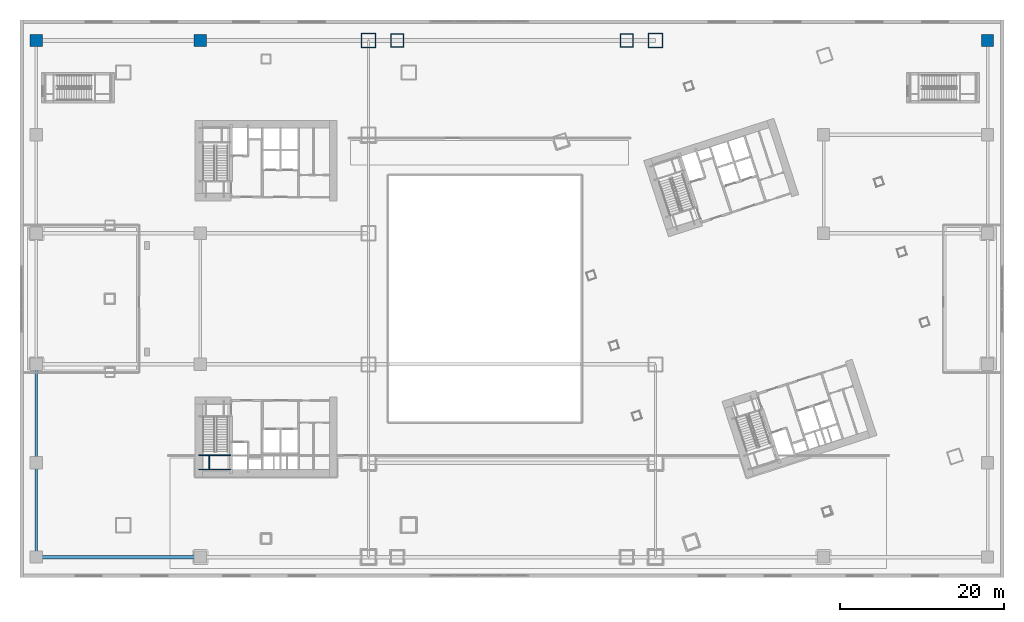
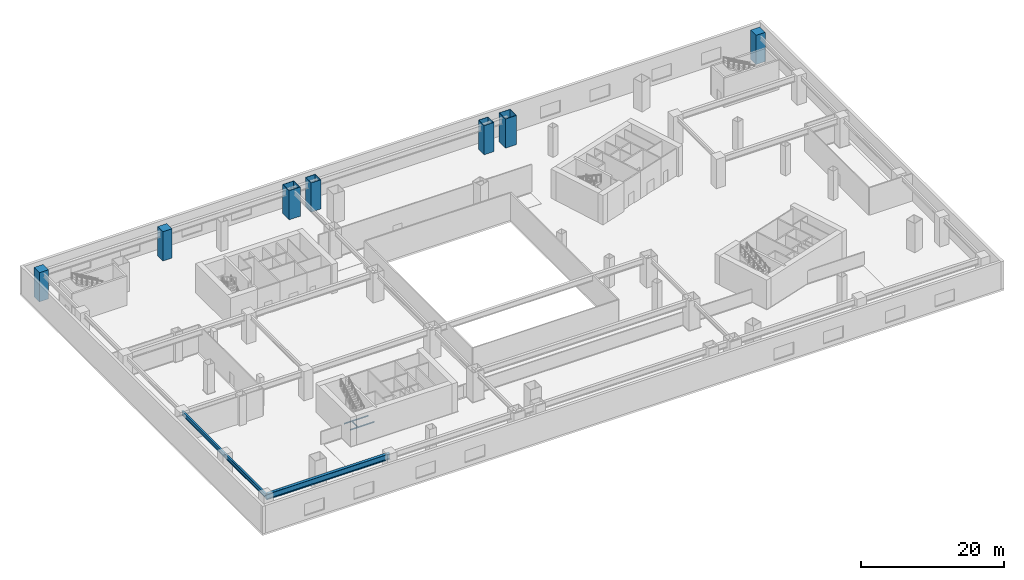
# One storey, part 3 of 35: 7 columns, 6 beams.
"""IFC4 building model written with IfcOpenShell, lengths in metres."""

from ifc_helpers import new_model, si_unit, direction, frame, origin, origin_2d, place, context, subcontext, project, spatial, rectangle, hollow_rectangle, i_section, extrude, material, material_profile, profile_set, type_object, element, save


model = new_model("IFC4")

# Units and contexts
model_context = context("Model", 3, precision=1e-05, world=origin(), true_north=direction((0.0, 1.0)))
body_context = subcontext(model_context, "Body", "Model", "MODEL_VIEW")
ifc_project = project(units=[si_unit("LENGTHUNIT", "METRE"), si_unit("AREAUNIT", "SQUARE_METRE"), si_unit("VOLUMEUNIT", "CUBIC_METRE"), si_unit("PLANEANGLEUNIT", "RADIAN"), si_unit("MASSUNIT", "GRAM", prefix="KILO")], contexts=[model_context])

# Site, building, storey
site_placement = place(None, origin())
site = spatial("IfcSite", under=ifc_project, at=site_placement, CompositionType="ELEMENT")
building_placement = place(site_placement, origin())
building = spatial("IfcBuilding", under=site, at=building_placement, Name="Qiaolan Cultural Towers", CompositionType="ELEMENT")
storey_placement = place(building_placement, frame((0.0, 0.0, 11.5)))
storey = spatial("IfcBuildingStorey", under=building, at=storey_placement, Name="L02", CompositionType="ELEMENT", Elevation=11.5)

# Columns
ifc_material_1 = material(Name="Steel Q420GJB", Category="steel")
ifc_material_profile_1 = material_profile(ifc_material_1, hollow_rectangle(XDim=1.60009765625, YDim=1.60009765625, WallThickness=0.054931640625, at=origin_2d()), Name="BOX1600x1600x55")
ifc_profile_set_1 = profile_set([ifc_material_profile_1], Name="Steel Q420GJB")
column_type_1 = type_object("IfcColumnType", Name="COL-BOX1600x1600x55", PredefinedType="COLUMN", material=ifc_profile_set_1)
for number, where, z_axis, x_axis, name in (
    (1, (46.0, 65.5, 0.0), (0.0, 0.0, 1.0), (1.0, 0.0, 0.0), "L02 Podium Column PC-MID-46-65"),
    (2, (74.0, 65.5, 0.0), (0.0, 0.0, 1.0), (1.0, 0.0, 0.0), "L02 Podium Column PC-MID-74-65"),
):
    element("IfcColumn", number, at=place(storey_placement, frame(where, z_axis=z_axis, x_axis=x_axis)), inside=storey, type_object=column_type_1, Name=name, PredefinedType="COLUMN", context=body_context, shape_type="SweptSolid", body=[
        extrude(hollow_rectangle(XDim=1.60009765625, YDim=1.60009765625, WallThickness=0.054931640625, at=origin_2d()), origin(), (0.0, 0.0, 1.0), 5.0009765625),
    ])
ifc_material_2 = material(Name="Steel Q420GJB", Category="steel")
ifc_material_profile_2 = material_profile(ifc_material_2, hollow_rectangle(XDim=1.800048828125, YDim=1.800048828125, WallThickness=0.06005859375, at=origin_2d()), Name="BOX1800x1800x60")
ifc_profile_set_2 = profile_set([ifc_material_profile_2], Name="Steel Q420GJB")
column_type_2 = type_object("IfcColumnType", Name="COL-BOX1800x1800x60", PredefinedType="COLUMN", material=ifc_profile_set_2)
for number, where, z_axis, x_axis, name in (
    (3, (42.5, 65.5, 0.0), (0.0, 0.0, 1.0), (1.0, 0.0, 0.0), "L02 Podium Column PC-42-65"),
    (4, (77.5, 65.5, 0.0), (0.0, 0.0, 1.0), (1.0, 0.0, 0.0), "L02 Podium Column PC-77-65"),
):
    element("IfcColumn", number, at=place(storey_placement, frame(where, z_axis=z_axis, x_axis=x_axis)), inside=storey, type_object=column_type_2, Name=name, PredefinedType="COLUMN", context=body_context, shape_type="SweptSolid", body=[
        extrude(hollow_rectangle(XDim=1.800048828125, YDim=1.800048828125, WallThickness=0.06005859375, at=origin_2d()), origin(), (0.0, 0.0, 1.0), 5.0009765625),
    ])
ifc_material_3 = material(Name="Concrete C60", Category="concrete")
ifc_material_profile_3 = material_profile(ifc_material_3, rectangle(XDim=1.5, YDim=1.5, at=origin_2d()), Name="RC1500x1500")
ifc_profile_set_3 = profile_set([ifc_material_profile_3], Name="Concrete C60")
column_type_3 = type_object("IfcColumnType", Name="COL-RC1500x1500", PredefinedType="COLUMN", material=ifc_profile_set_3)
for number, where, z_axis, x_axis, name in (
    (5, (2.0, 65.5, 0.0), (0.0, 0.0, 1.0), (1.0, 0.0, 0.0), "L02 Podium Column PC-2-65"),
    (6, (22.0, 65.5, 0.0), (0.0, 0.0, 1.0), (1.0, 0.0, 0.0), "L02 Podium Column PC-22-65"),
    (7, (118.0, 65.5, 0.0), (0.0, 0.0, 1.0), (1.0, 0.0, 0.0), "L02 Podium Column PC-118-65"),
):
    element("IfcColumn", number, at=place(storey_placement, frame(where, z_axis=z_axis, x_axis=x_axis)), inside=storey, type_object=column_type_3, Name=name, PredefinedType="COLUMN", context=body_context, shape_type="SweptSolid", body=[
        extrude(rectangle(XDim=1.5, YDim=1.5, at=origin_2d()), origin(), (0.0, 0.0, 1.0), 5.0009765625),
    ])

# Beams
ifc_material_4 = material(Name="Steel Q390GJB", Category="steel")
ifc_material_profile_4 = material_profile(ifc_material_4, i_section(OverallWidth=0.449951171875, OverallDepth=1.0, WebThickness=0.02392578125, FlangeThickness=0.0400390625, at=origin_2d()), Name="BH1000x450x24x40")
ifc_profile_set_4 = profile_set([ifc_material_profile_4], Name="Steel Q390GJB")
beam_type_1 = type_object("IfcBeamType", Name="BM-BH1000x450x24x40", PredefinedType="BEAM", material=ifc_profile_set_4)
beam_1_placement = place(storey_placement, frame((2.0, 2.5, 4.199951171875), z_axis=(1.0, 0.0, 0.0), x_axis=(0.0, 1.0, 0.0)))
element("IfcBeam", 8, at=beam_1_placement, inside=storey, type_object=beam_type_1, Name="L02 Podium Primary Girder Y=2.5", PredefinedType="BEAM", context=body_context, shape_type="SweptSolid", body=[
    extrude(i_section(OverallWidth=0.449951171875, OverallDepth=1.0, WebThickness=0.02392578125, FlangeThickness=0.0400390625, at=origin_2d()), origin(), (0.0, 0.0, 1.0), 20.0),
])
ifc_material_5 = material(Name="Steel Q355B", Category="steel")
ifc_material_profile_5 = material_profile(ifc_material_5, i_section(OverallWidth=0.300048828125, OverallDepth=0.699951171875, WebThickness=0.012939453125, FlangeThickness=0.02392578125, at=origin_2d()), Name="HN700x300x13x24")
ifc_profile_set_5 = profile_set([ifc_material_profile_5], Name="Steel Q355B")
beam_type_2 = type_object("IfcBeamType", Name="BM-HN700x300x13x24", PredefinedType="BEAM", material=ifc_profile_set_5)
beam_2_placement = place(storey_placement, frame((2.0, 2.5, 4.35009765625), z_axis=(0.0, 1.0, 0.0), x_axis=(-1.0, 0.0, 0.0)))
element("IfcBeam", 9, at=beam_2_placement, inside=storey, type_object=beam_type_2, Name="L02 Podium Transverse Beam X=2.0", PredefinedType="BEAM", context=body_context, shape_type="SweptSolid", body=[
    extrude(i_section(OverallWidth=0.300048828125, OverallDepth=0.699951171875, WebThickness=0.012939453125, FlangeThickness=0.02392578125, at=origin_2d()), origin(), (0.0, 0.0, 1.0), 11.5),
])
beam_3_placement = place(storey_placement, frame((2.0, 14.0, 4.35009765625), z_axis=(0.0, 1.0, 0.0), x_axis=(-1.0, 0.0, 0.0)))
element("IfcBeam", 10, at=beam_3_placement, inside=storey, type_object=beam_type_2, Name="L02 Podium Transverse Beam X=2.0", PredefinedType="BEAM", context=body_context, shape_type="SweptSolid", body=[
    extrude(i_section(OverallWidth=0.300048828125, OverallDepth=0.699951171875, WebThickness=0.012939453125, FlangeThickness=0.02392578125, at=origin_2d()), origin(), (0.0, 0.0, 1.0), 12.0),
])
ifc_material_6 = material(Name="Steel Q355B", Category="steel")
ifc_material_profile_6 = material_profile(ifc_material_6, i_section(OverallWidth=0.10009765625, OverallDepth=0.199951171875, WebThickness=0.005615234375, FlangeThickness=0.008056640625, at=origin_2d()), Name="HN200x100x5.5x8")
ifc_profile_set_6 = profile_set([ifc_material_profile_6], Name="Steel Q355B")
beam_type_3 = type_object("IfcBeamType", Name="BM-STTRIM-200", PredefinedType="BEAM", material=ifc_profile_set_6)
for number, where, z_axis, x_axis, name in (
    (11, (21.800048828125, 14.911376953125, 2.199951171875), (1.0, 0.0, 0.0), (0.0, 1.0, 0.0), "L02 ST-W1 Stair Landing Support Beam 1-1"),
    (12, (21.800048828125, 13.179931640625, 2.199951171875), (1.0, 0.0, 0.0), (0.0, 1.0, 0.0), "L02 ST-W1 Stair Landing Support Beam 1-2"),
):
    element("IfcBeam", number, at=place(storey_placement, frame(where, z_axis=z_axis, x_axis=x_axis)), inside=storey, type_object=beam_type_3, Name=name, PredefinedType="BEAM", context=body_context, shape_type="SweptSolid", body=[
        extrude(i_section(OverallWidth=0.10009765625, OverallDepth=0.199951171875, WebThickness=0.005615234375, FlangeThickness=0.008056640625, at=origin_2d()), origin(), (0.0, 0.0, 1.0), 3.919921875),
    ])
beam_4_placement = place(storey_placement, frame((23.070068359375, 14.911376953125, 2.199951171875), z_axis=(0.0, -1.0, 0.0), x_axis=(1.0, 0.0, 0.0)))
element("IfcBeam", 13, at=beam_4_placement, inside=storey, type_object=beam_type_3, Name="L02 ST-W1 Stair Landing Trimmer 1", PredefinedType="BEAM", context=body_context, shape_type="SweptSolid", body=[
    extrude(i_section(OverallWidth=0.10009765625, OverallDepth=0.199951171875, WebThickness=0.005615234375, FlangeThickness=0.008056640625, at=origin_2d()), origin(), (0.0, 0.0, 1.0), 1.7314453125),
])

save(model, "model.ifc")
